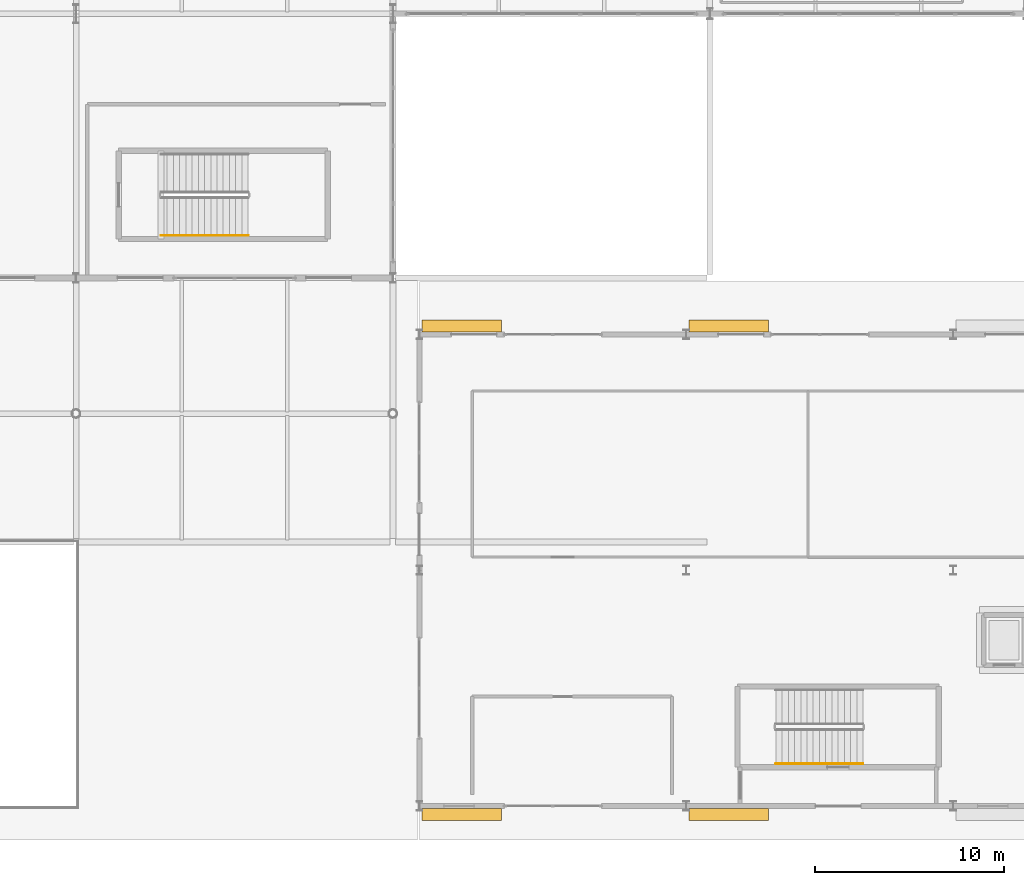
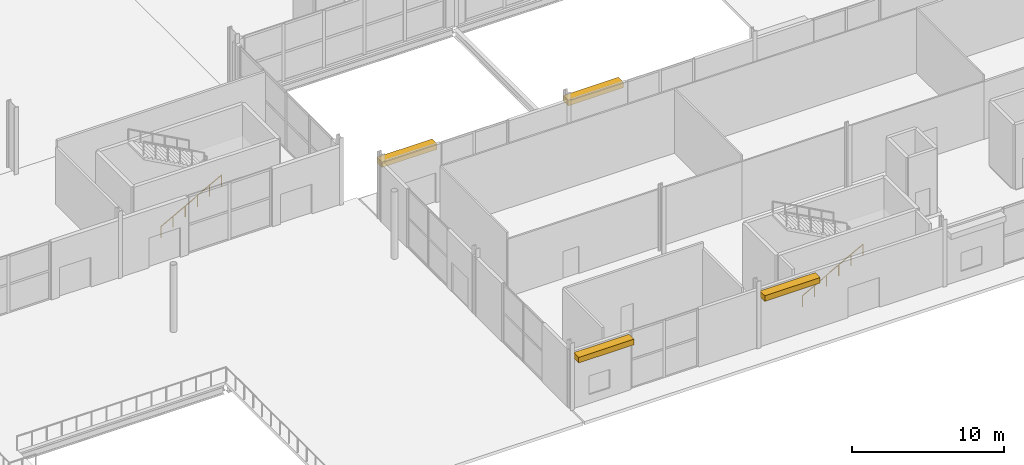
# One storey, part 81 of 87: 4 shading devices, 2 railings.
"""IFC4 building model written with IfcOpenShell, lengths in metres."""

from ifc_helpers import new_model, si_unit, direction, frame, origin, origin_2d, place, context, subcontext, project, spatial, rectangle, circle, extrude, material, type_object, element, save


model = new_model("IFC4")

# Units and contexts
model_context = context("Model", 3, precision=1e-05, world=origin(), true_north=direction((0.0, 1.0)))
body_context = subcontext(model_context, "Body", "Model", "MODEL_VIEW")
ifc_project = project(units=[si_unit("LENGTHUNIT", "METRE"), si_unit("AREAUNIT", "SQUARE_METRE"), si_unit("VOLUMEUNIT", "CUBIC_METRE"), si_unit("PLANEANGLEUNIT", "RADIAN"), si_unit("MASSUNIT", "GRAM", prefix="KILO")], contexts=[model_context])

# Site, building, storey
site_placement = place(None, origin())
site = spatial("IfcSite", under=ifc_project, at=site_placement, CompositionType="ELEMENT")
building_placement = place(site_placement, origin())
building = spatial("IfcBuilding", under=site, at=building_placement, Name="Kimbaza Rail Terminus", CompositionType="ELEMENT")
storey_placement = place(building_placement, origin())
storey = spatial("IfcBuildingStorey", under=building, at=storey_placement, Name="L00", CompositionType="ELEMENT", Elevation=0.0)

# Railings
ifc_material_1 = material(Name="Brushed stainless steel handrail", Category="steel")
railing_type = type_object("IfcRailingType", Name="ARC-RL-HND92", PredefinedType="HANDRAIL", material=ifc_material_1)
railing_1_placement = place(storey_placement, frame((143.699951171875, 43.25, 0.179931640625)))
element("IfcRailing", 1, at=railing_1_placement, inside=storey, type_object=railing_type, Name="L00 ST-S2 stair handrail 1", PredefinedType="HANDRAIL", context=body_context, shape_type="SweptSolid", body=[
    extrude(circle(Radius=0.02392578125, at=origin_2d()), frame((0.0, 0.0, 0.8759765625), z_axis=(0.877899118682, 0.0, 0.478845630049), x_axis=(0.0, 1.0, 0.0)), (0.0, 0.0, 1.0), 5.2626953125),
    extrude(circle(Radius=0.02099609375, at=origin_2d()), origin(), (0.0, 0.0, 1.0), 0.851806640625),
    extrude(circle(Radius=0.02099609375, at=origin_2d()), frame((0.924072265625, 0.0, 0.50390625)), (0.0, 0.0, 1.0), 0.851806640625),
    extrude(circle(Radius=0.02099609375, at=origin_2d()), frame((1.84814453125, 0.0, 1.008056640625)), (0.0, 0.0, 1.0), 0.851806640625),
    extrude(circle(Radius=0.02099609375, at=origin_2d()), frame((2.77197265625, 0.0, 1.511962890625)), (0.0, 0.0, 1.0), 0.851806640625),
    extrude(circle(Radius=0.02099609375, at=origin_2d()), frame((3.696044921875, 0.0, 2.01611328125)), (0.0, 0.0, 1.0), 0.851806640625),
    extrude(circle(Radius=0.02099609375, at=origin_2d()), frame((4.6201171875, 0.0, 2.52001953125)), (0.0, 0.0, 1.0), 0.851806640625),
])
railing_2_placement = place(storey_placement, frame((176.300048828125, 15.25, 0.179931640625)))
element("IfcRailing", 2, at=railing_2_placement, inside=storey, type_object=railing_type, Name="L00 ST-P1 stair handrail 1", PredefinedType="HANDRAIL", context=body_context, shape_type="SweptSolid", body=[
    extrude(circle(Radius=0.02392578125, at=origin_2d()), frame((0.0, 0.0, 0.8759765625), z_axis=(0.877888480945, 0.0, 0.478865132395), x_axis=(0.0, 1.0, 0.0)), (0.0, 0.0, 1.0), 5.262451171875),
    extrude(circle(Radius=0.02099609375, at=origin_2d()), origin(), (0.0, 0.0, 1.0), 0.851806640625),
    extrude(circle(Radius=0.02099609375, at=origin_2d()), frame((0.924072265625, 0.0, 0.50390625)), (0.0, 0.0, 1.0), 0.851806640625),
    extrude(circle(Radius=0.02099609375, at=origin_2d()), frame((1.847900390625, 0.0, 1.008056640625)), (0.0, 0.0, 1.0), 0.851806640625),
    extrude(circle(Radius=0.02099609375, at=origin_2d()), frame((2.77197265625, 0.0, 1.511962890625)), (0.0, 0.0, 1.0), 0.851806640625),
    extrude(circle(Radius=0.02099609375, at=origin_2d()), frame((3.69580078125, 0.0, 2.01611328125)), (0.0, 0.0, 1.0), 0.851806640625),
    extrude(circle(Radius=0.02099609375, at=origin_2d()), frame((4.619873046875, 0.0, 2.52001953125)), (0.0, 0.0, 1.0), 0.851806640625),
])

# Shading devices
ifc_material_2 = material(Name="Perforated champagne anodised aluminium louvre", Category="aluminium")
shading_device_type = type_object("IfcShadingDeviceType", Name="ARC-SHD-LVR1", PredefinedType="JALOUSIE", material=ifc_material_2)
for number, where, z_axis, x_axis, name in (
    (3, (159.64990234375, 38.452880859375, 4.0498046875), (0.0, 0.0, 1.0), (1.0, 0.0, 0.0), "Pavilion Veranda Louvre L00.1"),
    (4, (173.800048828125, 38.452880859375, 4.0498046875), (0.0, 0.0, 1.0), (1.0, 0.0, 0.0), "Pavilion Veranda Louvre L00.2"),
    (5, (159.64990234375, 12.547119140625, 4.0498046875), (0.0, 0.0, 1.0), (1.0, 0.0, 0.0), "Pavilion Veranda Louvre L00.1"),
    (6, (173.800048828125, 12.547119140625, 4.0498046875), (0.0, 0.0, 1.0), (1.0, 0.0, 0.0), "Pavilion Veranda Louvre L00.2"),
):
    element("IfcShadingDevice", number, at=place(storey_placement, frame(where, z_axis=z_axis, x_axis=x_axis)), inside=storey, type_object=shading_device_type, Name=name, PredefinedType="JALOUSIE", context=body_context, shape_type="SweptSolid", body=[
        extrude(rectangle(XDim=4.199951171875, YDim=0.64990234375, at=origin_2d()), origin(), (0.0, 0.0, 1.0), 0.449951171875),
    ])

save(model, "model.ifc")
